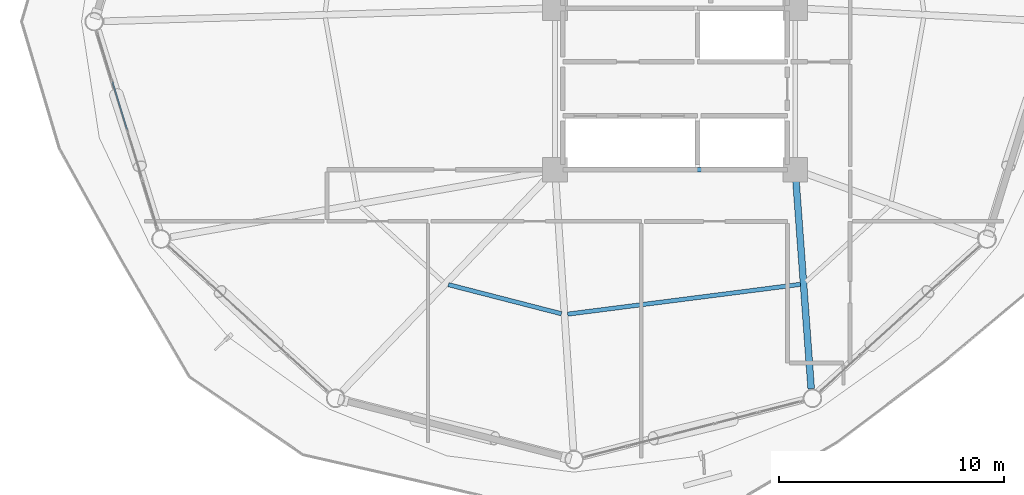
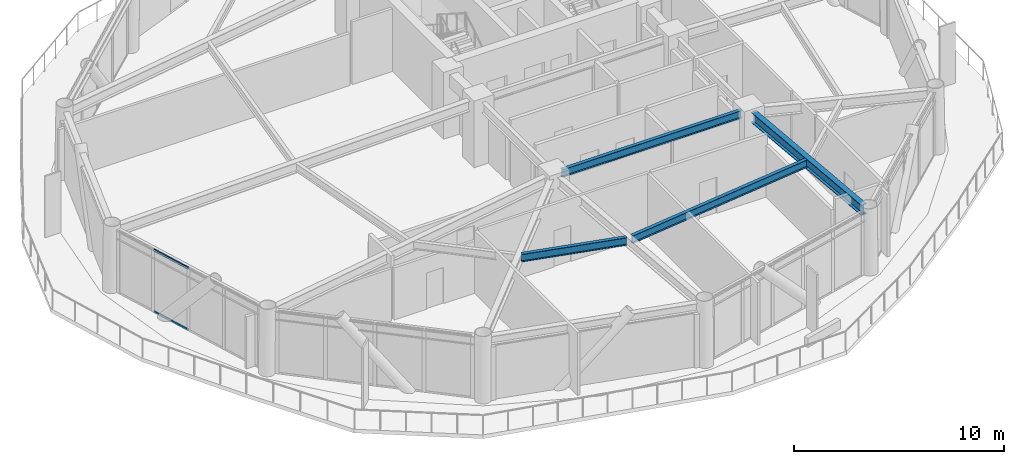
# One storey, part 6 of 23: 4 beams, 2 members, 1 element without a shape of its own.
"""IFC4 building model written with IfcOpenShell, lengths in metres."""

from ifc_helpers import new_model, si_unit, direction, frame, origin, origin_2d, place, context, subcontext, project, spatial, hollow_rectangle, i_section, extrude, material, layer, layer_set, material_profile, profile_set, type_object, element, aggregate, save


model = new_model("IFC4")

# Units and contexts
model_context = context("Model", 3, precision=1e-05, world=origin(), true_north=direction((0.0, 1.0)))
body_context = subcontext(model_context, "Body", "Model", "MODEL_VIEW")
ifc_project = project(units=[si_unit("LENGTHUNIT", "METRE"), si_unit("AREAUNIT", "SQUARE_METRE"), si_unit("VOLUMEUNIT", "CUBIC_METRE"), si_unit("PLANEANGLEUNIT", "RADIAN"), si_unit("MASSUNIT", "GRAM", prefix="KILO")], contexts=[model_context])

# Site, building, storey
site_placement = place(None, origin())
site = spatial("IfcSite", under=ifc_project, at=site_placement, CompositionType="ELEMENT")
building_placement = place(site_placement, origin())
building = spatial("IfcBuilding", under=site, at=building_placement, Name="Varnakorn Sky Granary", CompositionType="ELEMENT")
storey_placement = place(building_placement, frame((0.0, 0.0, 114.89990234375)))
storey = spatial("IfcBuildingStorey", under=building, at=storey_placement, Name="L28", CompositionType="ELEMENT", Elevation=114.89990234375)

# Beams
ifc_material_1 = material(Name="Steel S355JR", Category="steel")
ifc_material_profile_1 = material_profile(ifc_material_1, i_section(OverallWidth=0.300048828125, OverallDepth=0.60009765625, WebThickness=0.015380859375, FlangeThickness=0.030029296875, at=origin_2d()), Name="HE 600 B")
ifc_profile_set_1 = profile_set([ifc_material_profile_1], Name="Steel S355JR")
beam_type_1 = type_object("IfcBeamType", Name="BM-RAD-Z2", PredefinedType="BEAM", material=ifc_profile_set_1)
beam_1_placement = place(storey_placement, frame((8.380615234375, -7.018798828125, 3.340087890625), z_axis=(0.072856031631, -0.99734246809, 0.0), x_axis=(0.99734246809, 0.072856031631, 0.0)))
element("IfcBeam", 1, at=beam_1_placement, inside=storey, type_object=beam_type_1, Name="Radial Floor Girder RG11 L28", PredefinedType="BEAM", context=body_context, shape_type="SweptSolid", body=[
    extrude(i_section(OverallWidth=0.300048828125, OverallDepth=0.60009765625, WebThickness=0.015380859375, FlangeThickness=0.030029296875, at=origin_2d()), origin(), (0.0, 0.0, 1.0), 9.359375),
])
ifc_material_profile_2 = material_profile(ifc_material_1, i_section(OverallWidth=0.18994140625, OverallDepth=0.449951171875, WebThickness=0.009521484375, FlangeThickness=0.0146484375, at=origin_2d()), Name="IPE 450")
ifc_profile_set_2 = profile_set([ifc_material_profile_2], Name="Steel S355JR")
beam_type_2 = type_object("IfcBeamType", Name="BM-SEC-Z2", PredefinedType="BEAM", material=ifc_profile_set_2)
beam_2_placement = place(storey_placement, frame((-7.0947265625, -11.717041015625, 3.4150390625), z_axis=(0.968394489391, -0.249423561271, 0.0), x_axis=(0.249423561271, 0.968394489391, 0.0)))
element("IfcBeam", 2, at=beam_2_placement, inside=storey, type_object=beam_type_2, Name="Secondary Floor Chord Beam MSB09 L28", PredefinedType="BEAM", context=body_context, shape_type="SweptSolid", body=[
    extrude(i_section(OverallWidth=0.18994140625, OverallDepth=0.449951171875, WebThickness=0.009521484375, FlangeThickness=0.0146484375, at=origin_2d()), origin(), (0.0, 0.0, 1.0), 5.199462890625),
])
beam_3_placement = place(storey_placement, frame((-1.78515625, -13.031005859375, 3.4150390625), z_axis=(0.99190664941, 0.126969283119, 0.0), x_axis=(-0.126969283119, 0.99190664941, 0.0)))
element("IfcBeam", 3, at=beam_3_placement, inside=storey, type_object=beam_type_2, Name="Secondary Floor Chord Beam MSB10 L28", PredefinedType="BEAM", context=body_context, shape_type="SweptSolid", body=[
    extrude(i_section(OverallWidth=0.18994140625, OverallDepth=0.449951171875, WebThickness=0.009521484375, FlangeThickness=0.0146484375, at=origin_2d()), origin(), (0.0, 0.0, 1.0), 10.45263671875),
])
beam_4_placement = place(storey_placement, frame((-1.929931640625, -6.60009765625, 3.4150390625), z_axis=(1.0, 0.0, 0.0), x_axis=(0.0, 1.0, 0.0)))
element("IfcBeam", 4, at=beam_4_placement, inside=storey, type_object=beam_type_2, Name="Core Spine Framing Beam 6 L28", PredefinedType="BEAM", context=body_context, shape_type="SweptSolid", body=[
    extrude(i_section(OverallWidth=0.18994140625, OverallDepth=0.449951171875, WebThickness=0.009521484375, FlangeThickness=0.0146484375, at=origin_2d()), origin(), (0.0, 0.0, 1.0), 9.85986328125),
])

# Curtain wall, members
ifc_material_2 = material(Name="Anodised Bronze Aluminium Alloy 6063-T6", Category="aluminium")
ifc_layer = layer(ifc_material_2, 0.179931640625, Name="Anodised Bronze Aluminium Alloy 6063-T6")
ifc_layer_set = layer_set([ifc_layer], Name="Anodised Bronze Aluminium Alloy 6063-T6")
curtain_wall_type = type_object("IfcCurtainWallType", Name="CW-FRM-2", PredefinedType="USERDEFINED", material=ifc_layer_set)
curtain_wall_placement = place(storey_placement, origin())
curtain_wall = element("IfcCurtainWall", 5, at=curtain_wall_placement, inside=storey, type_object=curtain_wall_type, Name="Unitised Curtain Wall CW4 CW-L28-B07", ObjectType="CURTAIN WALL", PredefinedType="USERDEFINED")
ifc_material_profile_3 = material_profile(ifc_material_2, hollow_rectangle(XDim=0.06494140625, YDim=0.1201171875, WallThickness=0.00341796875, at=origin_2d()), Name="ALU TRAN 65x120")
ifc_profile_set_3 = profile_set([ifc_material_profile_3], Name="Anodised Bronze Aluminium Alloy 6063-T6")
member_type = type_object("IfcMemberType", Name="CW-FRM-2-TRAN", PredefinedType="USERDEFINED", material=ifc_profile_set_3)
member_1_placement = place(storey_placement, frame((-21.40234375, -4.81201171875, 0.03271484375), z_axis=(-0.294085848838, 0.955779008722, 0.0), x_axis=(-0.955779008722, -0.294085848838, 0.0)))
member_1 = element("IfcMember", 6, at=member_1_placement, type_object=member_type, Name="CW4 transom 3.1", ObjectType="TRANSOM", PredefinedType="USERDEFINED", context=body_context, shape_type="SweptSolid", body=[
    extrude(hollow_rectangle(XDim=0.06494140625, YDim=0.1201171875, WallThickness=0.00341796875, at=origin_2d()), origin(), (0.0, 0.0, 1.0), 2.2314453125),
])
member_2_placement = place(storey_placement, frame((-21.40234375, -4.81201171875, 3.607666015625), z_axis=(-0.294085848838, 0.955779008722, 0.0), x_axis=(-0.955779008722, -0.294085848838, 0.0)))
member_2 = element("IfcMember", 7, at=member_2_placement, type_object=member_type, Name="CW4 transom 3.2", ObjectType="TRANSOM", PredefinedType="USERDEFINED", context=body_context, shape_type="SweptSolid", body=[
    extrude(hollow_rectangle(XDim=0.06494140625, YDim=0.1201171875, WallThickness=0.00341796875, at=origin_2d()), origin(), (0.0, 0.0, 1.0), 2.2314453125),
])
aggregate(curtain_wall, [member_1, member_2])

save(model, "model.ifc")
